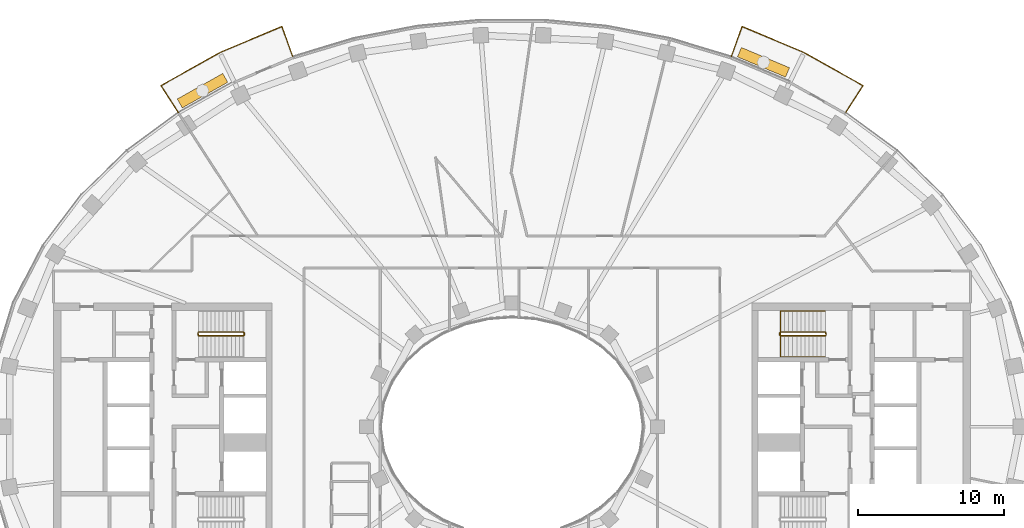
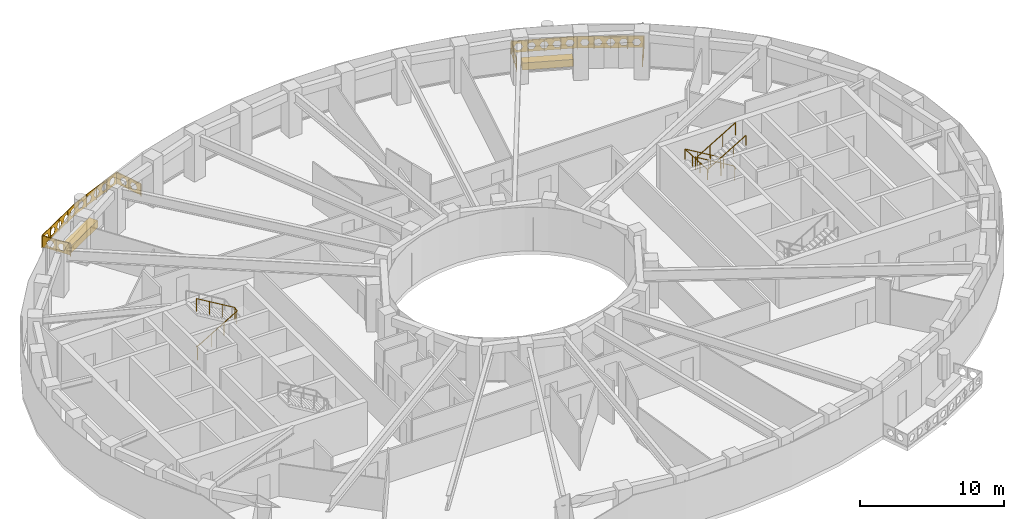
# One storey, part 14 of 15: 5 railings, 2 coverings.
"""IFC4 building model written with IfcOpenShell, lengths in metres."""

from ifc_helpers import new_model, si_unit, direction, frame, origin, origin_2d, place, context, subcontext, project, spatial, polyline, rectangle, outline, extrude, material, type_object, element, save


model = new_model("IFC4")

# Units and contexts
model_context = context("Model", 3, precision=1e-05, world=origin(), true_north=direction((0.0, 1.0)))
body_context = subcontext(model_context, "Body", "Model", "MODEL_VIEW")
ifc_project = project(units=[si_unit("LENGTHUNIT", "METRE"), si_unit("AREAUNIT", "SQUARE_METRE"), si_unit("VOLUMEUNIT", "CUBIC_METRE"), si_unit("PLANEANGLEUNIT", "RADIAN"), si_unit("MASSUNIT", "GRAM", prefix="KILO")], contexts=[model_context])

# Site, building, storey
site_placement = place(None, origin())
site = spatial("IfcSite", under=ifc_project, at=site_placement, CompositionType="ELEMENT")
building_placement = place(site_placement, origin())
building = spatial("IfcBuilding", under=site, at=building_placement, Name="Noorbagh Ring Tower", CompositionType="ELEMENT")
storey_placement = place(building_placement, frame((0.0, 0.0, 265.5)))
storey = spatial("IfcBuildingStorey", under=building, at=storey_placement, Name="L56", CompositionType="ELEMENT", Elevation=265.5)

# Railings
ifc_material_1 = material(Name="Stainless steel", Category="steel")
railing_type_1 = type_object("IfcRailingType", Name="CORE-STAIR-GUARD", PredefinedType="GUARDRAIL", material=ifc_material_1)
railing_1_placement = place(storey_placement, frame((-21.580078125, 6.300048828125, 0.0)))
element("IfcRailing", 1, at=railing_1_placement, inside=storey, type_object=railing_type_1, Name="L56 ST1 stair guard", PredefinedType="GUARDRAIL", context=body_context, shape_type="SweptSolid", body=[
    extrude(rectangle(XDim=0.048095703125, YDim=0.048095703125, at=origin_2d()), frame((0.0, 0.0, 1.076171875), z_axis=(0.0, 1.0, 0.0), x_axis=(-1.0, 0.0, 0.0)), (0.0, 0.0, 1.0), 0.14990234375),
    extrude(rectangle(XDim=0.048095703125, YDim=0.048095703125, at=origin_2d()), frame((0.0, 0.14990234375, 1.076171875), z_axis=(0.188775798145, -0.754182335027, 0.628945707965), x_axis=(0.970072785993, 0.242814311512, 0.0)), (0.0, 0.0, 1.0), 0.26513671875),
    extrude(rectangle(XDim=0.048095703125, YDim=0.048095703125, at=origin_2d()), frame((0.050048828125, -0.050048828125, 1.24267578125), z_axis=(0.859308565015, 0.0, 0.511457515432), x_axis=(0.0, 1.0, 0.0)), (0.0, 0.0, 1.0), 3.58447265625),
    extrude(rectangle(XDim=0.048095703125, YDim=0.048095703125, at=origin_2d()), frame((3.130126953125, -0.050048828125, 3.076171875), z_axis=(0.707106781187, 0.707106781187, 0.0), x_axis=(-0.707106781187, 0.707106781187, 0.0)), (0.0, 0.0, 1.0), 0.07080078125),
    extrude(rectangle(XDim=0.048095703125, YDim=0.048095703125, at=origin_2d()), frame((3.18017578125, 0.0, 3.076171875), z_axis=(0.0, 1.0, 0.0), x_axis=(-1.0, 0.0, 0.0)), (0.0, 0.0, 1.0), 0.14990234375),
    extrude(rectangle(XDim=0.048095703125, YDim=0.048095703125, at=origin_2d()), frame((3.18017578125, 0.14990234375, 3.076171875), z_axis=(-0.27628659633, 0.27628659633, 0.920506074601), x_axis=(-0.707106781187, -0.707106781187, 0.0)), (0.0, 0.0, 1.0), 0.18115234375),
    extrude(rectangle(XDim=0.048095703125, YDim=0.048095703125, at=origin_2d()), frame((3.130126953125, 0.199951171875, 3.24267578125), z_axis=(-0.859308565015, 0.0, 0.511457515432), x_axis=(0.0, -1.0, 0.0)), (0.0, 0.0, 1.0), 3.58447265625),
    extrude(rectangle(XDim=0.0419921875, YDim=0.0419921875, at=origin_2d()), origin(), (0.0, 0.0, 1.0), 1.052001953125),
    extrude(rectangle(XDim=0.0419921875, YDim=0.0419921875, at=origin_2d()), frame((1.07666015625, -0.050048828125, 0.77783203125)), (0.0, 0.0, 1.0), 1.052001953125),
    extrude(rectangle(XDim=0.0419921875, YDim=0.0419921875, at=origin_2d()), frame((2.103515625, -0.050048828125, 1.388916015625)), (0.0, 0.0, 1.0), 1.052001953125),
    extrude(rectangle(XDim=0.0419921875, YDim=0.0419921875, at=origin_2d()), frame((3.130126953125, -0.050048828125, 2.0)), (0.0, 0.0, 1.0), 1.052001953125),
    extrude(rectangle(XDim=0.0419921875, YDim=0.0419921875, at=origin_2d()), frame((3.130126953125, 0.199951171875, 2.166748046875)), (0.0, 0.0, 1.0), 1.052001953125),
    extrude(rectangle(XDim=0.0419921875, YDim=0.0419921875, at=origin_2d()), frame((2.103515625, 0.199951171875, 2.77783203125)), (0.0, 0.0, 1.0), 1.052001953125),
    extrude(rectangle(XDim=0.0419921875, YDim=0.0419921875, at=origin_2d()), frame((1.07666015625, 0.199951171875, 3.388916015625)), (0.0, 0.0, 1.0), 1.052001953125),
    extrude(rectangle(XDim=0.0419921875, YDim=0.0419921875, at=origin_2d()), frame((0.050048828125, 0.199951171875, 4.0)), (0.0, 0.0, 1.0), 1.052001953125),
])
railing_2_placement = place(storey_placement, frame((21.580078125, 6.449951171875, 0.0)))
element("IfcRailing", 2, at=railing_2_placement, inside=storey, type_object=railing_type_1, Name="L56 ST3 stair guard", PredefinedType="GUARDRAIL", context=body_context, shape_type="SweptSolid", body=[
    extrude(rectangle(XDim=0.048095703125, YDim=0.048095703125, at=origin_2d()), frame((0.0, 0.0, 1.076171875), z_axis=(0.0, -1.0, 0.0), x_axis=(1.0, 0.0, 0.0)), (0.0, 0.0, 1.0), 0.14990234375),
    extrude(rectangle(XDim=0.048095703125, YDim=0.048095703125, at=origin_2d()), frame((0.0, -0.14990234375, 1.076171875), z_axis=(-0.188775798145, 0.754182335027, 0.628945707965), x_axis=(-0.970072785993, -0.242814311512, 0.0)), (0.0, 0.0, 1.0), 0.26513671875),
    extrude(rectangle(XDim=0.048095703125, YDim=0.048095703125, at=origin_2d()), frame((-0.050048828125, 0.050048828125, 1.24267578125), z_axis=(-0.859308565015, 0.0, 0.511457515432), x_axis=(0.0, -1.0, 0.0)), (0.0, 0.0, 1.0), 3.58447265625),
    extrude(rectangle(XDim=0.048095703125, YDim=0.048095703125, at=origin_2d()), frame((-3.130126953125, 0.050048828125, 3.076171875), z_axis=(-0.707106781187, -0.707106781187, 0.0), x_axis=(0.707106781187, -0.707106781187, 0.0)), (0.0, 0.0, 1.0), 0.07080078125),
    extrude(rectangle(XDim=0.048095703125, YDim=0.048095703125, at=origin_2d()), frame((-3.18017578125, 0.0, 3.076171875), z_axis=(0.0, -1.0, 0.0), x_axis=(1.0, 0.0, 0.0)), (0.0, 0.0, 1.0), 0.14990234375),
    extrude(rectangle(XDim=0.048095703125, YDim=0.048095703125, at=origin_2d()), frame((-3.18017578125, -0.14990234375, 3.076171875), z_axis=(0.27628659633, -0.27628659633, 0.920506074601), x_axis=(0.707106781187, 0.707106781187, 0.0)), (0.0, 0.0, 1.0), 0.18115234375),
    extrude(rectangle(XDim=0.048095703125, YDim=0.048095703125, at=origin_2d()), frame((-3.130126953125, -0.199951171875, 3.24267578125), z_axis=(0.859308565015, 0.0, 0.511457515432), x_axis=(0.0, 1.0, 0.0)), (0.0, 0.0, 1.0), 3.58447265625),
    extrude(rectangle(XDim=0.0419921875, YDim=0.0419921875, at=origin_2d()), origin(), (0.0, 0.0, 1.0), 1.052001953125),
    extrude(rectangle(XDim=0.0419921875, YDim=0.0419921875, at=origin_2d()), frame((-1.07666015625, 0.050048828125, 0.77783203125)), (0.0, 0.0, 1.0), 1.052001953125),
    extrude(rectangle(XDim=0.0419921875, YDim=0.0419921875, at=origin_2d()), frame((-2.103515625, 0.050048828125, 1.388916015625)), (0.0, 0.0, 1.0), 1.052001953125),
    extrude(rectangle(XDim=0.0419921875, YDim=0.0419921875, at=origin_2d()), frame((-3.130126953125, 0.050048828125, 2.0)), (0.0, 0.0, 1.0), 1.052001953125),
    extrude(rectangle(XDim=0.0419921875, YDim=0.0419921875, at=origin_2d()), frame((-3.130126953125, -0.199951171875, 2.166748046875)), (0.0, 0.0, 1.0), 1.052001953125),
    extrude(rectangle(XDim=0.0419921875, YDim=0.0419921875, at=origin_2d()), frame((-2.103515625, -0.199951171875, 2.77783203125)), (0.0, 0.0, 1.0), 1.052001953125),
    extrude(rectangle(XDim=0.0419921875, YDim=0.0419921875, at=origin_2d()), frame((-1.07666015625, -0.199951171875, 3.388916015625)), (0.0, 0.0, 1.0), 1.052001953125),
    extrude(rectangle(XDim=0.0419921875, YDim=0.0419921875, at=origin_2d()), frame((-0.050048828125, -0.199951171875, 4.0)), (0.0, 0.0, 1.0), 1.052001953125),
])
ifc_material_2 = material(Name="Stainless steel", Category="steel")
railing_type_2 = type_object("IfcRailingType", Name="CORE-STAIR-HANDRAIL", PredefinedType="HANDRAIL", material=ifc_material_2)
railing_3_placement = place(storey_placement, frame((21.530029296875, 7.949951171875, 0.166748046875)))
element("IfcRailing", 3, at=railing_3_placement, inside=storey, type_object=railing_type_2, Name="L56 ST3 stair handrail", PredefinedType="HANDRAIL", context=body_context, shape_type="SweptSolid", body=[
    extrude(rectangle(XDim=0.048095703125, YDim=0.048095703125, at=origin_2d()), frame((0.0, 0.0, 0.8759765625), z_axis=(-0.859308565015, 0.0, 0.511457515432), x_axis=(0.0, -1.0, 0.0)), (0.0, 0.0, 1.0), 3.58447265625),
    extrude(rectangle(XDim=0.048095703125, YDim=0.048095703125, at=origin_2d()), frame((-3.080078125, 0.0, 2.708984375), z_axis=(0.0, -0.998601747152, 0.052863509014), x_axis=(1.0, 0.0, 0.0)), (0.0, 0.0, 1.0), 3.154296875),
    extrude(rectangle(XDim=0.048095703125, YDim=0.048095703125, at=origin_2d()), frame((-3.080078125, -3.14990234375, 2.8759765625), z_axis=(0.859308565015, 0.0, 0.511457515432), x_axis=(0.0, 1.0, 0.0)), (0.0, 0.0, 1.0), 3.58447265625),
    extrude(rectangle(XDim=0.0419921875, YDim=0.0419921875, at=origin_2d()), origin(), (0.0, 0.0, 1.0), 0.851806640625),
    extrude(rectangle(XDim=0.0419921875, YDim=0.0419921875, at=origin_2d()), frame((-1.026611328125, 0.0, 0.611083984375)), (0.0, 0.0, 1.0), 0.851806640625),
    extrude(rectangle(XDim=0.0419921875, YDim=0.0419921875, at=origin_2d()), frame((-2.053466796875, 0.0, 1.22216796875)), (0.0, 0.0, 1.0), 0.851806640625),
    extrude(rectangle(XDim=0.0419921875, YDim=0.0419921875, at=origin_2d()), frame((-3.080078125, 0.0, 1.833251953125)), (0.0, 0.0, 1.0), 0.851806640625),
    extrude(rectangle(XDim=0.0419921875, YDim=0.0419921875, at=origin_2d()), frame((-3.080078125, -1.050048828125, 1.888916015625)), (0.0, 0.0, 1.0), 0.851806640625),
    extrude(rectangle(XDim=0.0419921875, YDim=0.0419921875, at=origin_2d()), frame((-3.080078125, -2.099853515625, 1.9443359375)), (0.0, 0.0, 1.0), 0.851806640625),
    extrude(rectangle(XDim=0.0419921875, YDim=0.0419921875, at=origin_2d()), frame((-3.080078125, -3.14990234375, 2.0)), (0.0, 0.0, 1.0), 0.851806640625),
    extrude(rectangle(XDim=0.0419921875, YDim=0.0419921875, at=origin_2d()), frame((-2.053466796875, -3.14990234375, 2.611083984375)), (0.0, 0.0, 1.0), 0.851806640625),
    extrude(rectangle(XDim=0.0419921875, YDim=0.0419921875, at=origin_2d()), frame((-1.026611328125, -3.14990234375, 3.22216796875)), (0.0, 0.0, 1.0), 0.851806640625),
    extrude(rectangle(XDim=0.0419921875, YDim=0.0419921875, at=origin_2d()), frame((0.0, -3.14990234375, 3.833251953125)), (0.0, 0.0, 1.0), 0.851806640625),
])
ifc_material_3 = material(Name="Steel S275 black powder-coated", Category="steel")
railing_type_3 = type_object("IfcRailingType", Name="ENV-GUARD", PredefinedType="GUARDRAIL", material=ifc_material_3)
railing_4_placement = place(storey_placement, frame((22.9326171875, 21.583740234375, 0.0)))
element("IfcRailing", 4, at=railing_4_placement, inside=storey, type_object=railing_type_3, Name="Balcony guard BN02", PredefinedType="GUARDRAIL", context=body_context, shape_type="SweptSolid", body=[
    extrude(rectangle(XDim=0.048095703125, YDim=0.048095703125, at=origin_2d()), frame((0.0, 0.0, 1.076171875), z_axis=(0.542268136821, 0.840205491406, 0.0), x_axis=(-0.840205491406, 0.542268136821, 0.0)), (0.0, 0.0, 1.0), 2.204345703125),
    extrude(rectangle(XDim=0.048095703125, YDim=0.048095703125, at=origin_2d()), frame((1.1953125, 1.85205078125, 1.076171875), z_axis=(-0.872052247658, 0.489412788303, 0.0), x_axis=(-0.489412788303, -0.872052247658, 0.0)), (0.0, 0.0, 1.0), 4.646240234375),
    extrude(rectangle(XDim=0.048095703125, YDim=0.048095703125, at=origin_2d()), frame((-2.8564453125, 4.1259765625, 1.076171875), z_axis=(-0.921809087722, 0.387644174203, 0.0), x_axis=(-0.387644174203, -0.921809087722, 0.0)), (0.0, 0.0, 1.0), 4.627197265625),
    extrude(rectangle(XDim=0.048095703125, YDim=0.048095703125, at=origin_2d()), frame((-7.121826171875, 5.919677734375, 1.076171875), z_axis=(-0.338350546839, -0.941020141896, 0.0), x_axis=(0.941020141896, -0.338350546839, 0.0)), (0.0, 0.0, 1.0), 2.202880859375),
    extrude(rectangle(XDim=0.0419921875, YDim=0.0419921875, at=origin_2d()), origin(), (0.0, 0.0, 1.0), 1.052001953125),
    extrude(rectangle(XDim=0.0419921875, YDim=0.0419921875, at=origin_2d()), frame((0.59765625, 0.926025390625, 0.0)), (0.0, 0.0, 1.0), 1.052001953125),
    extrude(rectangle(XDim=0.0419921875, YDim=0.0419921875, at=origin_2d()), frame((1.1953125, 1.85205078125, 0.0)), (0.0, 0.0, 1.0), 1.052001953125),
    extrude(rectangle(XDim=0.0419921875, YDim=0.0419921875, at=origin_2d()), frame((0.182373046875, 2.42041015625, 0.0)), (0.0, 0.0, 1.0), 1.052001953125),
    extrude(rectangle(XDim=0.0419921875, YDim=0.0419921875, at=origin_2d()), frame((-0.83056640625, 2.989013671875, 0.0)), (0.0, 0.0, 1.0), 1.052001953125),
    extrude(rectangle(XDim=0.0419921875, YDim=0.0419921875, at=origin_2d()), frame((-1.843505859375, 3.5576171875, 0.0)), (0.0, 0.0, 1.0), 1.052001953125),
    extrude(rectangle(XDim=0.0419921875, YDim=0.0419921875, at=origin_2d()), frame((-2.8564453125, 4.1259765625, 0.0)), (0.0, 0.0, 1.0), 1.052001953125),
    extrude(rectangle(XDim=0.0419921875, YDim=0.0419921875, at=origin_2d()), frame((-3.9228515625, 4.574462890625, 0.0)), (0.0, 0.0, 1.0), 1.052001953125),
    extrude(rectangle(XDim=0.0419921875, YDim=0.0419921875, at=origin_2d()), frame((-4.9892578125, 5.02294921875, 0.0)), (0.0, 0.0, 1.0), 1.052001953125),
    extrude(rectangle(XDim=0.0419921875, YDim=0.0419921875, at=origin_2d()), frame((-6.055419921875, 5.47119140625, 0.0)), (0.0, 0.0, 1.0), 1.052001953125),
    extrude(rectangle(XDim=0.0419921875, YDim=0.0419921875, at=origin_2d()), frame((-7.121826171875, 5.919677734375, 0.0)), (0.0, 0.0, 1.0), 1.052001953125),
    extrude(rectangle(XDim=0.0419921875, YDim=0.0419921875, at=origin_2d()), frame((-7.49462890625, 4.88330078125, 0.0)), (0.0, 0.0, 1.0), 1.052001953125),
    extrude(rectangle(XDim=0.0419921875, YDim=0.0419921875, at=origin_2d()), frame((-7.8671875, 3.8466796875, 0.0)), (0.0, 0.0, 1.0), 1.052001953125),
    extrude(outline(polyline([(0.0, 0.10009765625), (2.204345703125, 0.10009765625), (2.204345703125, 1.031982421875), (0.0, 1.031982421875), (0.0, 0.10009765625)]), holes=[polyline([(0.962158203125, 0.56591796875), (0.80712890625, 0.83447265625), (0.4970703125, 0.83447265625), (0.342041015625, 0.56591796875), (0.4970703125, 0.297607421875), (0.80712890625, 0.297607421875), (0.962158203125, 0.56591796875)]), polyline([(1.862060546875, 0.56591796875), (1.70703125, 0.83447265625), (1.397216796875, 0.83447265625), (1.2421875, 0.56591796875), (1.397216796875, 0.297607421875), (1.70703125, 0.297607421875), (1.862060546875, 0.56591796875)])]), frame((-0.00830078125, 0.00537109375, 0.0), z_axis=(0.840205491406, -0.542268136821, 0.0), x_axis=(0.542268136821, 0.840205491406, 0.0)), (0.0, 0.0, 1.0), 0.02001953125),
    extrude(outline(polyline([(0.0, 0.10009765625), (4.646240234375, 0.10009765625), (4.646240234375, 1.031982421875), (0.0, 1.031982421875), (0.0, 0.10009765625)]), holes=[polyline([(0.8330078125, 0.56591796875), (0.67822265625, 0.83447265625), (0.3681640625, 0.83447265625), (0.213134765625, 0.56591796875), (0.3681640625, 0.297607421875), (0.67822265625, 0.297607421875), (0.8330078125, 0.56591796875)]), polyline([(1.733154296875, 0.56591796875), (1.578125, 0.83447265625), (1.26806640625, 0.83447265625), (1.113037109375, 0.56591796875), (1.26806640625, 0.297607421875), (1.578125, 0.297607421875), (1.733154296875, 0.56591796875)]), polyline([(2.633056640625, 0.56591796875), (2.47802734375, 0.83447265625), (2.168212890625, 0.83447265625), (2.01318359375, 0.56591796875), (2.168212890625, 0.297607421875), (2.47802734375, 0.297607421875), (2.633056640625, 0.56591796875)]), polyline([(3.533203125, 0.56591796875), (3.378173828125, 0.83447265625), (3.068115234375, 0.83447265625), (2.9130859375, 0.56591796875), (3.068115234375, 0.297607421875), (3.378173828125, 0.297607421875), (3.533203125, 0.56591796875)]), polyline([(4.43310546875, 0.56591796875), (4.278076171875, 0.83447265625), (3.968017578125, 0.83447265625), (3.813232421875, 0.56591796875), (3.968017578125, 0.297607421875), (4.278076171875, 0.297607421875), (4.43310546875, 0.56591796875)])]), frame((1.1904296875, 1.84326171875, 0.0), z_axis=(0.489412788303, 0.872052247658, 0.0), x_axis=(-0.872052247658, 0.489412788303, 0.0)), (0.0, 0.0, 1.0), 0.02001953125),
    extrude(outline(polyline([(0.0, 0.10009765625), (4.627197265625, 0.10009765625), (4.627197265625, 1.031982421875), (0.0, 1.031982421875), (0.0, 0.10009765625)]), holes=[polyline([(0.823486328125, 0.56591796875), (0.668701171875, 0.83447265625), (0.358642578125, 0.83447265625), (0.20361328125, 0.56591796875), (0.358642578125, 0.297607421875), (0.668701171875, 0.297607421875), (0.823486328125, 0.56591796875)]), polyline([(1.7236328125, 0.56591796875), (1.568603515625, 0.83447265625), (1.258544921875, 0.83447265625), (1.103515625, 0.56591796875), (1.258544921875, 0.297607421875), (1.568603515625, 0.297607421875), (1.7236328125, 0.56591796875)]), polyline([(2.62353515625, 0.56591796875), (2.468505859375, 0.83447265625), (2.15869140625, 0.83447265625), (2.003662109375, 0.56591796875), (2.15869140625, 0.297607421875), (2.468505859375, 0.297607421875), (2.62353515625, 0.56591796875)]), polyline([(3.523681640625, 0.56591796875), (3.36865234375, 0.83447265625), (3.05859375, 0.83447265625), (2.903564453125, 0.56591796875), (3.05859375, 0.297607421875), (3.36865234375, 0.297607421875), (3.523681640625, 0.56591796875)]), polyline([(4.423583984375, 0.56591796875), (4.2685546875, 0.83447265625), (3.95849609375, 0.83447265625), (3.8037109375, 0.56591796875), (3.95849609375, 0.297607421875), (4.2685546875, 0.297607421875), (4.423583984375, 0.56591796875)])]), frame((-2.8603515625, 4.11669921875, 0.0), z_axis=(0.387644174203, 0.921809087722, 0.0), x_axis=(-0.921809087722, 0.387644174203, 0.0)), (0.0, 0.0, 1.0), 0.02001953125),
    extrude(outline(polyline([(0.0, 0.10009765625), (2.202880859375, 0.10009765625), (2.202880859375, 1.031982421875), (0.0, 1.031982421875), (0.0, 0.10009765625)]), holes=[polyline([(0.96142578125, 0.56591796875), (0.806396484375, 0.83447265625), (0.49658203125, 0.83447265625), (0.341552734375, 0.56591796875), (0.49658203125, 0.297607421875), (0.806396484375, 0.297607421875), (0.96142578125, 0.56591796875)]), polyline([(1.861572265625, 0.56591796875), (1.70654296875, 0.83447265625), (1.396484375, 0.83447265625), (1.241455078125, 0.56591796875), (1.396484375, 0.297607421875), (1.70654296875, 0.297607421875), (1.861572265625, 0.56591796875)])]), frame((-7.1123046875, 5.916259765625, 0.0), z_axis=(-0.941020141896, 0.338350546839, 0.0), x_axis=(-0.338350546839, -0.941020141896, 0.0)), (0.0, 0.0, 1.0), 0.02001953125),
])
railing_5_placement = place(storey_placement, frame((-15.0654296875, 25.430419921875, 0.0)))
element("IfcRailing", 5, at=railing_5_placement, inside=storey, type_object=railing_type_3, Name="Balcony guard BN05", PredefinedType="GUARDRAIL", context=body_context, shape_type="SweptSolid", body=[
    extrude(rectangle(XDim=0.048095703125, YDim=0.048095703125, at=origin_2d()), frame((0.0, 0.0, 1.076171875), z_axis=(-0.338350546839, 0.941020141896, 0.0), x_axis=(-0.941020141896, -0.338350546839, 0.0)), (0.0, 0.0, 1.0), 2.202880859375),
    extrude(rectangle(XDim=0.048095703125, YDim=0.048095703125, at=origin_2d()), frame((-0.745361328125, 2.072998046875, 1.076171875), z_axis=(-0.921809087722, -0.387644174203, 0.0), x_axis=(0.387644174203, -0.921809087722, 0.0)), (0.0, 0.0, 1.0), 4.627197265625),
    extrude(rectangle(XDim=0.048095703125, YDim=0.048095703125, at=origin_2d()), frame((-5.0107421875, 0.279296875, 1.076171875), z_axis=(-0.872052247658, -0.489412788303, 0.0), x_axis=(0.489412788303, -0.872052247658, 0.0)), (0.0, 0.0, 1.0), 4.646240234375),
    extrude(rectangle(XDim=0.048095703125, YDim=0.048095703125, at=origin_2d()), frame((-9.0625, -1.99462890625, 1.076171875), z_axis=(0.542268136821, -0.840205491406, 0.0), x_axis=(0.840205491406, 0.542268136821, 0.0)), (0.0, 0.0, 1.0), 2.204345703125),
    extrude(rectangle(XDim=0.0419921875, YDim=0.0419921875, at=origin_2d()), origin(), (0.0, 0.0, 1.0), 1.052001953125),
    extrude(rectangle(XDim=0.0419921875, YDim=0.0419921875, at=origin_2d()), frame((-0.37255859375, 1.03662109375, 0.0)), (0.0, 0.0, 1.0), 1.052001953125),
    extrude(rectangle(XDim=0.0419921875, YDim=0.0419921875, at=origin_2d()), frame((-0.745361328125, 2.072998046875, 0.0)), (0.0, 0.0, 1.0), 1.052001953125),
    extrude(rectangle(XDim=0.0419921875, YDim=0.0419921875, at=origin_2d()), frame((-1.811767578125, 1.62451171875, 0.0)), (0.0, 0.0, 1.0), 1.052001953125),
    extrude(rectangle(XDim=0.0419921875, YDim=0.0419921875, at=origin_2d()), frame((-2.8779296875, 1.17626953125, 0.0)), (0.0, 0.0, 1.0), 1.052001953125),
    extrude(rectangle(XDim=0.0419921875, YDim=0.0419921875, at=origin_2d()), frame((-3.9443359375, 0.727783203125, 0.0)), (0.0, 0.0, 1.0), 1.052001953125),
    extrude(rectangle(XDim=0.0419921875, YDim=0.0419921875, at=origin_2d()), frame((-5.0107421875, 0.279296875, 0.0)), (0.0, 0.0, 1.0), 1.052001953125),
    extrude(rectangle(XDim=0.0419921875, YDim=0.0419921875, at=origin_2d()), frame((-6.023681640625, -0.2890625, 0.0)), (0.0, 0.0, 1.0), 1.052001953125),
    extrude(rectangle(XDim=0.0419921875, YDim=0.0419921875, at=origin_2d()), frame((-7.03662109375, -0.857666015625, 0.0)), (0.0, 0.0, 1.0), 1.052001953125),
    extrude(rectangle(XDim=0.0419921875, YDim=0.0419921875, at=origin_2d()), frame((-8.049560546875, -1.42626953125, 0.0)), (0.0, 0.0, 1.0), 1.052001953125),
    extrude(rectangle(XDim=0.0419921875, YDim=0.0419921875, at=origin_2d()), frame((-9.0625, -1.99462890625, 0.0)), (0.0, 0.0, 1.0), 1.052001953125),
    extrude(rectangle(XDim=0.0419921875, YDim=0.0419921875, at=origin_2d()), frame((-8.46484375, -2.920654296875, 0.0)), (0.0, 0.0, 1.0), 1.052001953125),
    extrude(rectangle(XDim=0.0419921875, YDim=0.0419921875, at=origin_2d()), frame((-7.8671875, -3.8466796875, 0.0)), (0.0, 0.0, 1.0), 1.052001953125),
    extrude(outline(polyline([(0.0, 0.10009765625), (2.202880859375, 0.10009765625), (2.202880859375, 1.031982421875), (0.0, 1.031982421875), (0.0, 0.10009765625)]), holes=[polyline([(0.96142578125, 0.56591796875), (0.806396484375, 0.83447265625), (0.49658203125, 0.83447265625), (0.341552734375, 0.56591796875), (0.49658203125, 0.297607421875), (0.806396484375, 0.297607421875), (0.96142578125, 0.56591796875)]), polyline([(1.861572265625, 0.56591796875), (1.70654296875, 0.83447265625), (1.396484375, 0.83447265625), (1.241455078125, 0.56591796875), (1.396484375, 0.297607421875), (1.70654296875, 0.297607421875), (1.861572265625, 0.56591796875)])]), frame((-0.009521484375, -0.00341796875, 0.0), z_axis=(0.941020141896, 0.338350546839, 0.0), x_axis=(-0.338350546839, 0.941020141896, 0.0)), (0.0, 0.0, 1.0), 0.02001953125),
    extrude(outline(polyline([(0.0, 0.10009765625), (4.627197265625, 0.10009765625), (4.627197265625, 1.031982421875), (0.0, 1.031982421875), (0.0, 0.10009765625)]), holes=[polyline([(0.823486328125, 0.56591796875), (0.668701171875, 0.83447265625), (0.358642578125, 0.83447265625), (0.20361328125, 0.56591796875), (0.358642578125, 0.297607421875), (0.668701171875, 0.297607421875), (0.823486328125, 0.56591796875)]), polyline([(1.7236328125, 0.56591796875), (1.568603515625, 0.83447265625), (1.258544921875, 0.83447265625), (1.103515625, 0.56591796875), (1.258544921875, 0.297607421875), (1.568603515625, 0.297607421875), (1.7236328125, 0.56591796875)]), polyline([(2.62353515625, 0.56591796875), (2.468505859375, 0.83447265625), (2.15869140625, 0.83447265625), (2.003662109375, 0.56591796875), (2.15869140625, 0.297607421875), (2.468505859375, 0.297607421875), (2.62353515625, 0.56591796875)]), polyline([(3.523681640625, 0.56591796875), (3.36865234375, 0.83447265625), (3.05859375, 0.83447265625), (2.903564453125, 0.56591796875), (3.05859375, 0.297607421875), (3.36865234375, 0.297607421875), (3.523681640625, 0.56591796875)]), polyline([(4.423583984375, 0.56591796875), (4.2685546875, 0.83447265625), (3.95849609375, 0.83447265625), (3.8037109375, 0.56591796875), (3.95849609375, 0.297607421875), (4.2685546875, 0.297607421875), (4.423583984375, 0.56591796875)])]), frame((-0.741455078125, 2.063720703125, 0.0), z_axis=(-0.387644174203, 0.921809087722, 0.0), x_axis=(-0.921809087722, -0.387644174203, 0.0)), (0.0, 0.0, 1.0), 0.02001953125),
    extrude(outline(polyline([(0.0, 0.10009765625), (4.646240234375, 0.10009765625), (4.646240234375, 1.031982421875), (0.0, 1.031982421875), (0.0, 0.10009765625)]), holes=[polyline([(0.8330078125, 0.56591796875), (0.67822265625, 0.83447265625), (0.3681640625, 0.83447265625), (0.213134765625, 0.56591796875), (0.3681640625, 0.297607421875), (0.67822265625, 0.297607421875), (0.8330078125, 0.56591796875)]), polyline([(1.733154296875, 0.56591796875), (1.578125, 0.83447265625), (1.26806640625, 0.83447265625), (1.113037109375, 0.56591796875), (1.26806640625, 0.297607421875), (1.578125, 0.297607421875), (1.733154296875, 0.56591796875)]), polyline([(2.633056640625, 0.56591796875), (2.47802734375, 0.83447265625), (2.168212890625, 0.83447265625), (2.01318359375, 0.56591796875), (2.168212890625, 0.297607421875), (2.47802734375, 0.297607421875), (2.633056640625, 0.56591796875)]), polyline([(3.533203125, 0.56591796875), (3.378173828125, 0.83447265625), (3.068115234375, 0.83447265625), (2.9130859375, 0.56591796875), (3.068115234375, 0.297607421875), (3.378173828125, 0.297607421875), (3.533203125, 0.56591796875)]), polyline([(4.43310546875, 0.56591796875), (4.278076171875, 0.83447265625), (3.968017578125, 0.83447265625), (3.813232421875, 0.56591796875), (3.968017578125, 0.297607421875), (4.278076171875, 0.297607421875), (4.43310546875, 0.56591796875)])]), frame((-5.005859375, 0.2705078125, 0.0), z_axis=(-0.489412788303, 0.872052247658, 0.0), x_axis=(-0.872052247658, -0.489412788303, 0.0)), (0.0, 0.0, 1.0), 0.02001953125),
    extrude(outline(polyline([(0.0, 0.10009765625), (2.204345703125, 0.10009765625), (2.204345703125, 1.031982421875), (0.0, 1.031982421875), (0.0, 0.10009765625)]), holes=[polyline([(0.962158203125, 0.56591796875), (0.80712890625, 0.83447265625), (0.4970703125, 0.83447265625), (0.342041015625, 0.56591796875), (0.4970703125, 0.297607421875), (0.80712890625, 0.297607421875), (0.962158203125, 0.56591796875)]), polyline([(1.862060546875, 0.56591796875), (1.70703125, 0.83447265625), (1.397216796875, 0.83447265625), (1.2421875, 0.56591796875), (1.397216796875, 0.297607421875), (1.70703125, 0.297607421875), (1.862060546875, 0.56591796875)])]), frame((-9.05419921875, -1.9892578125, 0.0), z_axis=(-0.840205491406, -0.542268136821, 0.0), x_axis=(0.542268136821, -0.840205491406, 0.0)), (0.0, 0.0, 1.0), 0.02001953125),
])

# Coverings
ifc_material_4 = material(Name="Concrete C30/37 planter with soil", Category="concrete")
covering_type = type_object("IfcCoveringType", Name="ENV-PLANTER", PredefinedType="CLADDING", material=ifc_material_4)
covering_1_placement = place(storey_placement, frame((17.280517578125, 25.041259765625, 0.0), z_axis=(0.0, 0.0, 1.0), x_axis=(-0.921811566494, 0.387638279686, 0.0)))
element("IfcCovering", 6, at=covering_1_placement, inside=storey, type_object=covering_type, Name="PLANTER BN02", ObjectType="PLANTER", PredefinedType="CLADDING", context=body_context, shape_type="SweptSolid", body=[
    extrude(rectangle(XDim=3.5859375, YDim=0.699951171875, at=origin_2d()), origin(), (0.0, 0.0, 1.0), 0.60009765625),
])
covering_2_placement = place(storey_placement, frame((-21.26513671875, 23.093017578125, 0.0), z_axis=(0.0, 0.0, 1.0), x_axis=(-0.872044586249, -0.48942643941, 0.0)))
element("IfcCovering", 7, at=covering_2_placement, inside=storey, type_object=covering_type, Name="PLANTER BN05", ObjectType="PLANTER", PredefinedType="CLADDING", context=body_context, shape_type="SweptSolid", body=[
    extrude(rectangle(XDim=3.58544921875, YDim=0.699951171875, at=origin_2d()), origin(), (0.0, 0.0, 1.0), 0.60009765625),
])

save(model, "model.ifc")
